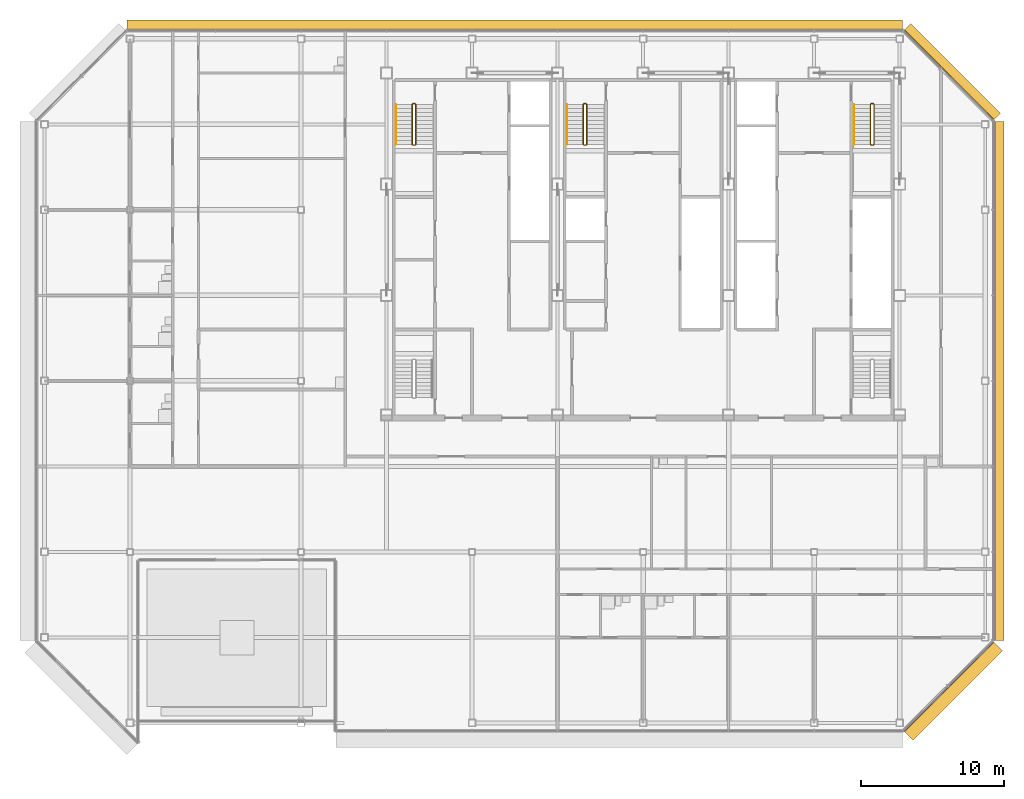
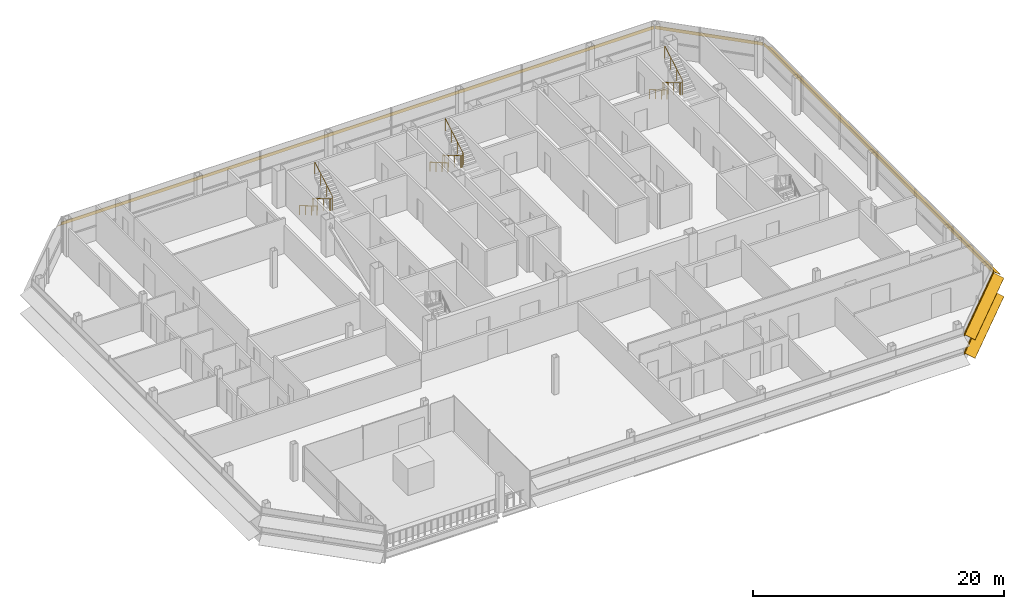
# One storey, part 29 of 31: 6 railings, 4 shading devices.
"""IFC4 building model written with IfcOpenShell, lengths in metres."""

from ifc_helpers import new_model, si_unit, direction, frame, origin, origin_2d, place, context, subcontext, project, spatial, polyline, circle, outline, composite_profile, extrude, material, type_object, element, save


model = new_model("IFC4")

# Units and contexts
model_context = context("Model", 3, precision=1e-05, world=origin(), true_north=direction((0.0, 1.0)))
body_context = subcontext(model_context, "Body", "Model", "MODEL_VIEW")
ifc_project = project(units=[si_unit("LENGTHUNIT", "METRE"), si_unit("AREAUNIT", "SQUARE_METRE"), si_unit("VOLUMEUNIT", "CUBIC_METRE"), si_unit("PLANEANGLEUNIT", "RADIAN"), si_unit("MASSUNIT", "GRAM", prefix="KILO")], contexts=[model_context])

# Site, building, storey
site_placement = place(None, origin())
site = spatial("IfcSite", under=ifc_project, at=site_placement, CompositionType="ELEMENT")
building_placement = place(site_placement, origin())
building = spatial("IfcBuilding", under=site, at=building_placement, Name="Sorahane Residences", CompositionType="ELEMENT")
storey_placement = place(building_placement, frame((0.0, 0.0, 319.60009765625)))
storey = spatial("IfcBuildingStorey", under=building, at=storey_placement, Name="L76", CompositionType="ELEMENT", Elevation=319.60009765625)

# Shading devices
ifc_material_1 = material(Name="Terracotta anodised aluminium", Category="masonry")
shading_device_type_1 = type_object("IfcShadingDeviceType", Name="Louvre sunshade blade E terracotta aluminium 700", PredefinedType="JALOUSIE", material=ifc_material_1)
shading_device_1_placement = place(storey_placement, frame((48.60009765625, 5.801513671875, 2.699951171875), z_axis=(0.0, 1.0, 0.0), x_axis=(-1.0, 0.0, 0.0)))
element("IfcShadingDevice", 1, at=shading_device_1_placement, inside=storey, type_object=shading_device_type_1, Name="Louvre sunshade blade bank E L76 E2", PredefinedType="JALOUSIE", context=body_context, shape_type="SweptSolid", body=[
    extrude(outline(polyline([(-0.719970703125, -0.49365234375), (-0.719970703125, -0.523681640625), (-0.080078125, -0.05859375), (-0.080078125, -0.14990234375), (-0.02001953125, -0.14990234375), (-0.02001953125, -0.014892578125), (-0.02001953125, 0.014892578125), (-0.02001953125, 0.14990234375), (-0.080078125, 0.14990234375), (-0.080078125, -0.028564453125), (-0.719970703125, -0.49365234375)])), origin(), (0.0, 0.0, 1.0), 36.39697265625),
])
ifc_material_2 = material(Name="Terracotta anodised aluminium", Category="masonry")
shading_device_type_2 = type_object("IfcShadingDeviceType", Name="Louvre sunshade blade N terracotta aluminium 700", PredefinedType="JALOUSIE", material=ifc_material_2)
shading_device_2_placement = place(storey_placement, frame((42.198486328125, 48.60009765625, 2.699951171875), z_axis=(-1.0, 0.0, 0.0), x_axis=(0.0, -1.0, 0.0)))
element("IfcShadingDevice", 2, at=shading_device_2_placement, inside=storey, type_object=shading_device_type_2, Name="Louvre sunshade blade bank N L76 N1", PredefinedType="JALOUSIE", context=body_context, shape_type="SweptSolid", body=[
    extrude(outline(polyline([(-0.719970703125, -0.660888671875), (-0.719970703125, -0.69091796875), (-0.080078125, -0.072998046875), (-0.080078125, -0.14990234375), (-0.02001953125, -0.14990234375), (-0.02001953125, -0.014892578125), (-0.02001953125, 0.014892578125), (-0.02001953125, 0.14990234375), (-0.080078125, 0.14990234375), (-0.080078125, -0.04296875), (-0.719970703125, -0.660888671875)])), origin(), (0.0, 0.0, 1.0), 54.39697265625),
])
ifc_material_3 = material(Name="Terracotta anodised aluminium", Category="masonry")
shading_device_type_3 = type_object("IfcShadingDeviceType", Name="Louvre sunshade blade NE terracotta aluminium 700", PredefinedType="JALOUSIE", material=ifc_material_3)
shading_device_3_placement = place(storey_placement, frame((48.564697265625, 42.283935546875, 2.699951171875), z_axis=(-0.707106781187, 0.707106781187, 0.0), x_axis=(-0.707106781187, -0.707106781187, 0.0)))
element("IfcShadingDevice", 3, at=shading_device_3_placement, inside=storey, type_object=shading_device_type_3, Name="Louvre sunshade blade bank NE L76 NE1", PredefinedType="JALOUSIE", context=body_context, shape_type="SweptSolid", body=[
    extrude(outline(polyline([(-0.719970703125, -0.572509765625), (-0.719970703125, -0.602294921875), (-0.080078125, -0.065185546875), (-0.080078125, -0.14990234375), (-0.02001953125, -0.14990234375), (-0.02001953125, -0.014892578125), (-0.02001953125, 0.014892578125), (-0.02001953125, 0.14990234375), (-0.080078125, 0.14990234375), (-0.080078125, -0.035400390625), (-0.719970703125, -0.572509765625)])), origin(), (0.0, 0.0, 1.0), 8.88232421875),
])
ifc_material_4 = material(Name="Terracotta anodised aluminium", Category="masonry")
shading_device_type_4 = type_object("IfcShadingDeviceType", Name="Louvre sunshade blade SE terracotta aluminium 900", PredefinedType="JALOUSIE", material=ifc_material_4)
shading_device_4_placement = place(storey_placement, frame((42.283935546875, -0.564697265625, 0.89990234375), z_axis=(0.707106781187, 0.707106781187, 0.0), x_axis=(-0.707106781187, 0.707106781187, 0.0)))
element("IfcShadingDevice", 4, at=shading_device_4_placement, inside=storey, type_object=shading_device_type_4, Name="Louvre sunshade blade bank SE L76 SE1", PredefinedType="JALOUSIE", context=body_context, shape_type="SweptSolid", body=[
    extrude(composite_profile([outline(polyline([(-0.919921875, -0.3486328125), (-0.919921875, -0.378662109375), (-0.080078125, -0.039306640625), (-0.080078125, -0.14990234375), (-0.02001953125, -0.14990234375), (-0.02001953125, -0.014892578125), (-0.02001953125, 0.014892578125), (-0.02001953125, 0.14990234375), (-0.080078125, 0.14990234375), (-0.080078125, -0.00927734375), (-0.919921875, -0.3486328125)])), outline(polyline([(-0.919921875, 1.451416015625), (-0.919921875, 1.42138671875), (-0.080078125, 1.7607421875), (-0.080078125, 1.64990234375), (-0.02001953125, 1.64990234375), (-0.02001953125, 1.784912109375), (-0.02001953125, 1.81494140625), (-0.02001953125, 1.949951171875), (-0.080078125, 1.949951171875), (-0.080078125, 1.790771484375), (-0.919921875, 1.451416015625)]))]), origin(), (0.0, 0.0, 1.0), 8.88232421875),
])

# Railings
ifc_material_5 = material(Name="Steel Q355B", Category="steel")
railing_type_1 = type_object("IfcRailingType", Name="Stair guard 1200 Steel Q355B", PredefinedType="GUARDRAIL", material=ifc_material_5)
railing_1_placement = place(storey_placement, frame((8.0, 43.449951171875, 0.0)))
element("IfcRailing", 5, at=railing_1_placement, inside=storey, type_object=railing_type_1, Name="L76 S1 stair guard 1", PredefinedType="GUARDRAIL", context=body_context, shape_type="SweptSolid", body=[
    extrude(circle(Radius=0.02392578125, at=origin_2d()), frame((0.0, 0.0, 1.17578125), z_axis=(-1.0, 0.0, 0.0), x_axis=(0.0, -1.0, 0.0)), (0.0, 0.0, 1.0), 0.14990234375),
    extrude(circle(Radius=0.02392578125, at=origin_2d()), frame((-0.14990234375, 0.0, 1.17578125), z_axis=(-0.280808744504, -0.280808744504, 0.917765164963), x_axis=(0.707106781187, -0.707106781187, 0.0)), (0.0, 0.0, 1.0), 0.17822265625),
    extrude(circle(Radius=0.02392578125, at=origin_2d()), frame((-0.199951171875, -0.050048828125, 1.33935546875), z_axis=(0.0, -0.863374499697, 0.504563646405), x_axis=(1.0, 0.0, 0.0)), (0.0, 0.0, 1.0), 3.242919921875),
    extrude(circle(Radius=0.02392578125, at=origin_2d()), frame((-0.199951171875, -2.849853515625, 2.9755859375), z_axis=(0.707106781187, -0.707106781187, 0.0), x_axis=(0.707106781187, 0.707106781187, 0.0)), (0.0, 0.0, 1.0), 0.07080078125),
    extrude(circle(Radius=0.02392578125, at=origin_2d()), frame((-0.14990234375, -2.89990234375, 2.9755859375), z_axis=(1.0, 0.0, 0.0), x_axis=(0.0, 1.0, 0.0)), (0.0, 0.0, 1.0), 0.14990234375),
    extrude(circle(Radius=0.02392578125, at=origin_2d()), frame((0.0, -2.89990234375, 2.9755859375), z_axis=(0.280456126637, 0.280456126637, 0.917980785237), x_axis=(-0.707106781187, 0.707106781187, 0.0)), (0.0, 0.0, 1.0), 0.178466796875),
    extrude(circle(Radius=0.02392578125, at=origin_2d()), frame((0.050048828125, -2.849853515625, 3.1396484375), z_axis=(0.0, 0.863374499697, 0.504563646405), x_axis=(-1.0, 0.0, 0.0)), (0.0, 0.0, 1.0), 3.242919921875),
    extrude(circle(Radius=0.02099609375, at=origin_2d()), origin(), (0.0, 0.0, 1.0), 1.15185546875),
    extrude(circle(Radius=0.02099609375, at=origin_2d()), frame((-0.14990234375, 0.0, 0.0)), (0.0, 0.0, 1.0), 1.15185546875),
    extrude(circle(Radius=0.02099609375, at=origin_2d()), frame((-0.199951171875, -0.050048828125, 0.16357421875)), (0.0, 0.0, 1.0), 1.15185546875),
    extrude(circle(Radius=0.02099609375, at=origin_2d()), frame((-0.199951171875, -0.9833984375, 0.708984375)), (0.0, 0.0, 1.0), 1.15185546875),
    extrude(circle(Radius=0.02099609375, at=origin_2d()), frame((-0.199951171875, -1.91650390625, 1.25439453125)), (0.0, 0.0, 1.0), 1.15185546875),
    extrude(circle(Radius=0.02099609375, at=origin_2d()), frame((-0.199951171875, -2.849853515625, 1.7998046875)), (0.0, 0.0, 1.0), 1.15185546875),
    extrude(circle(Radius=0.02099609375, at=origin_2d()), frame((-0.14990234375, -2.89990234375, 1.7998046875)), (0.0, 0.0, 1.0), 1.15185546875),
    extrude(circle(Radius=0.02099609375, at=origin_2d()), frame((0.0, -2.89990234375, 1.7998046875)), (0.0, 0.0, 1.0), 1.15185546875),
    extrude(circle(Radius=0.02099609375, at=origin_2d()), frame((0.050048828125, -2.849853515625, 1.963623046875)), (0.0, 0.0, 1.0), 1.15185546875),
    extrude(circle(Radius=0.02099609375, at=origin_2d()), frame((0.050048828125, -1.91650390625, 2.509033203125)), (0.0, 0.0, 1.0), 1.15185546875),
    extrude(circle(Radius=0.02099609375, at=origin_2d()), frame((0.050048828125, -0.9833984375, 3.054443359375)), (0.0, 0.0, 1.0), 1.15185546875),
    extrude(circle(Radius=0.02099609375, at=origin_2d()), frame((0.050048828125, -0.050048828125, 3.599853515625)), (0.0, 0.0, 1.0), 1.15185546875),
])
railing_2_placement = place(storey_placement, frame((40.14990234375, 43.449951171875, 0.0)))
element("IfcRailing", 6, at=railing_2_placement, inside=storey, type_object=railing_type_1, Name="L76 S2 stair guard 1", PredefinedType="GUARDRAIL", context=body_context, shape_type="SweptSolid", body=[
    extrude(circle(Radius=0.02392578125, at=origin_2d()), frame((0.0, 0.0, 1.17578125), z_axis=(-1.0, 0.0, 0.0), x_axis=(0.0, -1.0, 0.0)), (0.0, 0.0, 1.0), 0.14990234375),
    extrude(circle(Radius=0.02392578125, at=origin_2d()), frame((-0.14990234375, 0.0, 1.17578125), z_axis=(-0.280808744504, -0.280808744504, 0.917765164963), x_axis=(0.707106781187, -0.707106781187, 0.0)), (0.0, 0.0, 1.0), 0.17822265625),
    extrude(circle(Radius=0.02392578125, at=origin_2d()), frame((-0.199951171875, -0.050048828125, 1.33935546875), z_axis=(0.0, -0.863374499697, 0.504563646405), x_axis=(1.0, 0.0, 0.0)), (0.0, 0.0, 1.0), 3.242919921875),
    extrude(circle(Radius=0.02392578125, at=origin_2d()), frame((-0.199951171875, -2.849853515625, 2.9755859375), z_axis=(0.707106781187, -0.707106781187, 0.0), x_axis=(0.707106781187, 0.707106781187, 0.0)), (0.0, 0.0, 1.0), 0.07080078125),
    extrude(circle(Radius=0.02392578125, at=origin_2d()), frame((-0.14990234375, -2.89990234375, 2.9755859375), z_axis=(1.0, 0.0, 0.0), x_axis=(0.0, 1.0, 0.0)), (0.0, 0.0, 1.0), 0.14990234375),
    extrude(circle(Radius=0.02392578125, at=origin_2d()), frame((0.0, -2.89990234375, 2.9755859375), z_axis=(0.280456126637, 0.280456126637, 0.917980785237), x_axis=(-0.707106781187, 0.707106781187, 0.0)), (0.0, 0.0, 1.0), 0.178466796875),
    extrude(circle(Radius=0.02392578125, at=origin_2d()), frame((0.050048828125, -2.849853515625, 3.1396484375), z_axis=(0.0, 0.863374499697, 0.504563646405), x_axis=(-1.0, 0.0, 0.0)), (0.0, 0.0, 1.0), 3.242919921875),
    extrude(circle(Radius=0.02099609375, at=origin_2d()), origin(), (0.0, 0.0, 1.0), 1.15185546875),
    extrude(circle(Radius=0.02099609375, at=origin_2d()), frame((-0.14990234375, 0.0, 0.0)), (0.0, 0.0, 1.0), 1.15185546875),
    extrude(circle(Radius=0.02099609375, at=origin_2d()), frame((-0.199951171875, -0.050048828125, 0.16357421875)), (0.0, 0.0, 1.0), 1.15185546875),
    extrude(circle(Radius=0.02099609375, at=origin_2d()), frame((-0.199951171875, -0.9833984375, 0.708984375)), (0.0, 0.0, 1.0), 1.15185546875),
    extrude(circle(Radius=0.02099609375, at=origin_2d()), frame((-0.199951171875, -1.91650390625, 1.25439453125)), (0.0, 0.0, 1.0), 1.15185546875),
    extrude(circle(Radius=0.02099609375, at=origin_2d()), frame((-0.199951171875, -2.849853515625, 1.7998046875)), (0.0, 0.0, 1.0), 1.15185546875),
    extrude(circle(Radius=0.02099609375, at=origin_2d()), frame((-0.14990234375, -2.89990234375, 1.7998046875)), (0.0, 0.0, 1.0), 1.15185546875),
    extrude(circle(Radius=0.02099609375, at=origin_2d()), frame((0.0, -2.89990234375, 1.7998046875)), (0.0, 0.0, 1.0), 1.15185546875),
    extrude(circle(Radius=0.02099609375, at=origin_2d()), frame((0.050048828125, -2.849853515625, 1.963623046875)), (0.0, 0.0, 1.0), 1.15185546875),
    extrude(circle(Radius=0.02099609375, at=origin_2d()), frame((0.050048828125, -1.91650390625, 2.509033203125)), (0.0, 0.0, 1.0), 1.15185546875),
    extrude(circle(Radius=0.02099609375, at=origin_2d()), frame((0.050048828125, -0.9833984375, 3.054443359375)), (0.0, 0.0, 1.0), 1.15185546875),
    extrude(circle(Radius=0.02099609375, at=origin_2d()), frame((0.050048828125, -0.050048828125, 3.599853515625)), (0.0, 0.0, 1.0), 1.15185546875),
])
railing_3_placement = place(storey_placement, frame((20.0, 43.449951171875, 0.0)))
element("IfcRailing", 7, at=railing_3_placement, inside=storey, type_object=railing_type_1, Name="L76 S3 stair guard 1", PredefinedType="GUARDRAIL", context=body_context, shape_type="SweptSolid", body=[
    extrude(circle(Radius=0.02392578125, at=origin_2d()), frame((0.0, 0.0, 1.17578125), z_axis=(-1.0, 0.0, 0.0), x_axis=(0.0, -1.0, 0.0)), (0.0, 0.0, 1.0), 0.14990234375),
    extrude(circle(Radius=0.02392578125, at=origin_2d()), frame((-0.14990234375, 0.0, 1.17578125), z_axis=(-0.280808744504, -0.280808744504, 0.917765164963), x_axis=(0.707106781187, -0.707106781187, 0.0)), (0.0, 0.0, 1.0), 0.17822265625),
    extrude(circle(Radius=0.02392578125, at=origin_2d()), frame((-0.199951171875, -0.050048828125, 1.33935546875), z_axis=(0.0, -0.863374499697, 0.504563646405), x_axis=(1.0, 0.0, 0.0)), (0.0, 0.0, 1.0), 3.242919921875),
    extrude(circle(Radius=0.02392578125, at=origin_2d()), frame((-0.199951171875, -2.849853515625, 2.9755859375), z_axis=(0.707106781187, -0.707106781187, 0.0), x_axis=(0.707106781187, 0.707106781187, 0.0)), (0.0, 0.0, 1.0), 0.07080078125),
    extrude(circle(Radius=0.02392578125, at=origin_2d()), frame((-0.14990234375, -2.89990234375, 2.9755859375), z_axis=(1.0, 0.0, 0.0), x_axis=(0.0, 1.0, 0.0)), (0.0, 0.0, 1.0), 0.14990234375),
    extrude(circle(Radius=0.02392578125, at=origin_2d()), frame((0.0, -2.89990234375, 2.9755859375), z_axis=(0.280456126637, 0.280456126637, 0.917980785237), x_axis=(-0.707106781187, 0.707106781187, 0.0)), (0.0, 0.0, 1.0), 0.178466796875),
    extrude(circle(Radius=0.02392578125, at=origin_2d()), frame((0.050048828125, -2.849853515625, 3.1396484375), z_axis=(0.0, 0.863374499697, 0.504563646405), x_axis=(-1.0, 0.0, 0.0)), (0.0, 0.0, 1.0), 3.242919921875),
    extrude(circle(Radius=0.02099609375, at=origin_2d()), origin(), (0.0, 0.0, 1.0), 1.15185546875),
    extrude(circle(Radius=0.02099609375, at=origin_2d()), frame((-0.14990234375, 0.0, 0.0)), (0.0, 0.0, 1.0), 1.15185546875),
    extrude(circle(Radius=0.02099609375, at=origin_2d()), frame((-0.199951171875, -0.050048828125, 0.16357421875)), (0.0, 0.0, 1.0), 1.15185546875),
    extrude(circle(Radius=0.02099609375, at=origin_2d()), frame((-0.199951171875, -0.9833984375, 0.708984375)), (0.0, 0.0, 1.0), 1.15185546875),
    extrude(circle(Radius=0.02099609375, at=origin_2d()), frame((-0.199951171875, -1.91650390625, 1.25439453125)), (0.0, 0.0, 1.0), 1.15185546875),
    extrude(circle(Radius=0.02099609375, at=origin_2d()), frame((-0.199951171875, -2.849853515625, 1.7998046875)), (0.0, 0.0, 1.0), 1.15185546875),
    extrude(circle(Radius=0.02099609375, at=origin_2d()), frame((-0.14990234375, -2.89990234375, 1.7998046875)), (0.0, 0.0, 1.0), 1.15185546875),
    extrude(circle(Radius=0.02099609375, at=origin_2d()), frame((0.0, -2.89990234375, 1.7998046875)), (0.0, 0.0, 1.0), 1.15185546875),
    extrude(circle(Radius=0.02099609375, at=origin_2d()), frame((0.050048828125, -2.849853515625, 1.963623046875)), (0.0, 0.0, 1.0), 1.15185546875),
    extrude(circle(Radius=0.02099609375, at=origin_2d()), frame((0.050048828125, -1.91650390625, 2.509033203125)), (0.0, 0.0, 1.0), 1.15185546875),
    extrude(circle(Radius=0.02099609375, at=origin_2d()), frame((0.050048828125, -0.9833984375, 3.054443359375)), (0.0, 0.0, 1.0), 1.15185546875),
    extrude(circle(Radius=0.02099609375, at=origin_2d()), frame((0.050048828125, -0.050048828125, 3.599853515625)), (0.0, 0.0, 1.0), 1.15185546875),
])
ifc_material_6 = material(Name="Steel Q355B", Category="steel")
railing_type_2 = type_object("IfcRailingType", Name="Stair handrail 900 Steel Q355B", PredefinedType="HANDRAIL", material=ifc_material_6)
for number, where, name in (
    (8, (6.64990234375, 43.39990234375, 0.16357421875), "L76 S1 stair handrail 1"),
    (9, (38.800048828125, 43.39990234375, 0.16357421875), "L76 S2 stair handrail 1"),
    (10, (18.64990234375, 43.39990234375, 0.16357421875), "L76 S3 stair handrail 1"),
):
    element("IfcRailing", number, at=place(storey_placement, frame(where)), inside=storey, type_object=railing_type_2, Name=name, PredefinedType="HANDRAIL", context=body_context, shape_type="SweptSolid", body=[
        extrude(circle(Radius=0.02392578125, at=origin_2d()), frame((0.0, 0.0, 0.8759765625), z_axis=(0.0, -0.863374499697, 0.504563646405), x_axis=(1.0, 0.0, 0.0)), (0.0, 0.0, 1.0), 3.242919921875),
        extrude(circle(Radius=0.02099609375, at=origin_2d()), origin(), (0.0, 0.0, 1.0), 0.851806640625),
        extrude(circle(Radius=0.02099609375, at=origin_2d()), frame((0.0, -0.933349609375, 0.54541015625)), (0.0, 0.0, 1.0), 0.851806640625),
        extrude(circle(Radius=0.02099609375, at=origin_2d()), frame((0.0, -1.866455078125, 1.0908203125)), (0.0, 0.0, 1.0), 0.851806640625),
        extrude(circle(Radius=0.02099609375, at=origin_2d()), frame((0.0, -2.7998046875, 1.63623046875)), (0.0, 0.0, 1.0), 0.851806640625),
    ])

save(model, "model.ifc")
